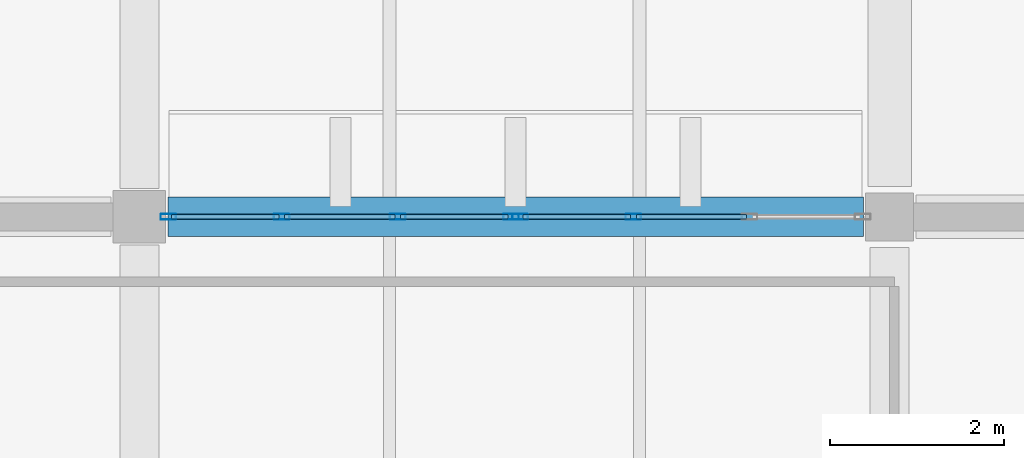
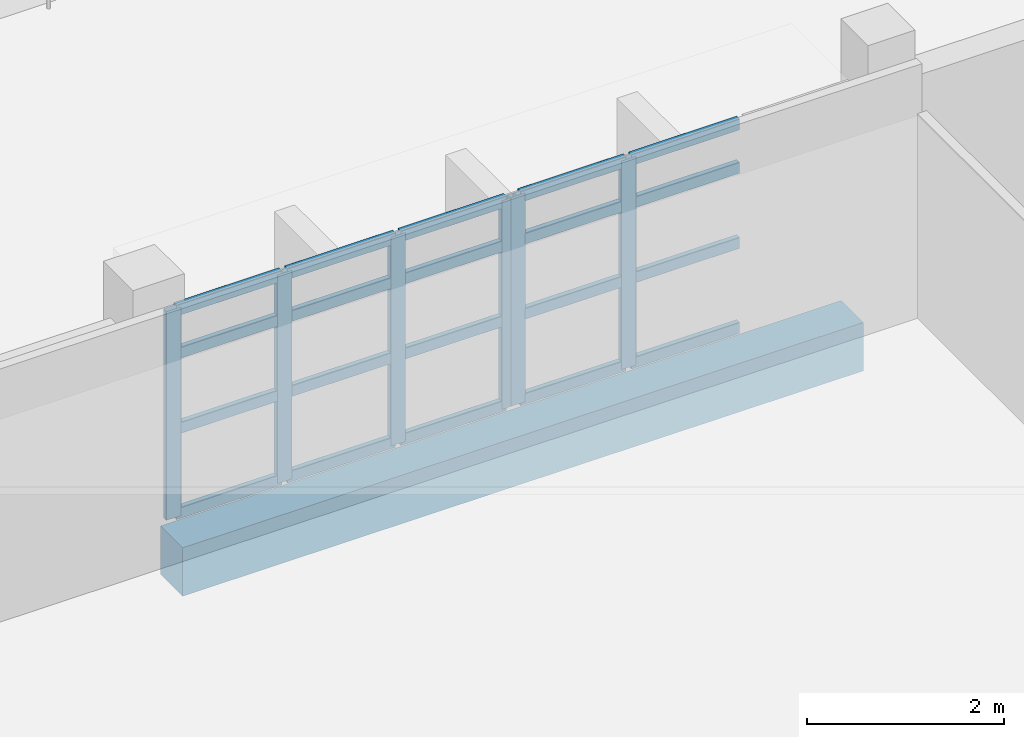
# One storey, part 14 of 55: 26 members, 1 beam, 2 elements without a shape of their own.
"""IFC4 building model written with IfcOpenShell, lengths in metres."""

from ifc_helpers import new_model, si_unit, direction, frame, origin, origin_2d, place, context, subcontext, project, spatial, rectangle, hollow_rectangle, extrude, material, material_profile, profile_set, type_object, element, aggregate, save


model = new_model("IFC4")

# Units and contexts
model_context = context("Model", 3, precision=1e-05, world=origin(), true_north=direction((0.0, 1.0)))
body_context = subcontext(model_context, "Body", "Model", "MODEL_VIEW")
ifc_project = project(units=[si_unit("LENGTHUNIT", "METRE"), si_unit("AREAUNIT", "SQUARE_METRE"), si_unit("VOLUMEUNIT", "CUBIC_METRE"), si_unit("PLANEANGLEUNIT", "RADIAN"), si_unit("MASSUNIT", "GRAM", prefix="KILO")], contexts=[model_context])

# Site, building, storey
site_placement = place(None, origin())
site = spatial("IfcSite", under=ifc_project, at=site_placement, CompositionType="ELEMENT")
building_placement = place(site_placement, origin())
building = spatial("IfcBuilding", under=site, at=building_placement, Name="Varnakota Cinema and Media Centre", CompositionType="ELEMENT")
storey_placement = place(building_placement, frame((0.0, 0.0, 15.60009765625)))
storey = spatial("IfcBuildingStorey", under=building, at=storey_placement, Name="L04", CompositionType="ELEMENT", Elevation=15.60009765625)

# Beam
ifc_material_1 = material(Name="Concrete M35", Category="concrete")
ifc_material_profile_1 = material_profile(ifc_material_1, rectangle(XDim=0.449951171875, YDim=0.60009765625, at=origin_2d()), Name="RCB 450x600")
ifc_profile_set_1 = profile_set([ifc_material_profile_1], Name="Concrete M35")
beam_type = type_object("IfcBeamType", Name="BM-RC-450x600", PredefinedType="BEAM", material=ifc_profile_set_1)
beam_placement = place(storey_placement, frame((8.925048828125, 61.0, -0.550048828125), z_axis=(1.0, 0.0, 0.0), x_axis=(0.0, 1.0, 0.0)))
element("IfcBeam", 1, at=beam_placement, inside=storey, type_object=beam_type, Name="L04 girder B-C/8", PredefinedType="BEAM", context=body_context, shape_type="SweptSolid", body=[
    extrude(rectangle(XDim=0.449951171875, YDim=0.60009765625, at=origin_2d()), origin(), (0.0, 0.0, 1.0), 7.974853515625),
])

# Curtain wall, members
ifc_material_2 = material(Name="Thermally broken anodised aluminium AW-6063", Category="aluminium")
curtain_wall_type = type_object("IfcCurtainWallType", Name="CW-STD-399x258", PredefinedType="USERDEFINED", material=ifc_material_2)
curtain_wall_1_placement = place(storey_placement, origin())
curtain_wall_1 = element("IfcCurtainWall", 2, at=curtain_wall_1_placement, inside=storey, type_object=curtain_wall_type, Name="L04 curtain wall CW-L04-V5-N-02-1", ObjectType="UNITISED CURTAIN WALL", PredefinedType="USERDEFINED")
ifc_material_3 = material(Name="Thermally broken anodised aluminium AW-6063", Category="aluminium")
ifc_material_profile_2 = material_profile(ifc_material_3, hollow_rectangle(XDim=0.06494140625, YDim=0.179931640625, WallThickness=0.00390625, InnerFilletRadius=0.00390625, OuterFilletRadius=0.008056640625, at=origin_2d()), Name="AL-MULLION 180x65x4")
ifc_profile_set_2 = profile_set([ifc_material_profile_2], Name="Thermally broken anodised aluminium AW-6063")
member_type_1 = type_object("IfcMemberType", Name="CWM-AL-180", PredefinedType="MULLION", material=ifc_profile_set_2)
member_1_placement = place(storey_placement, frame((8.9326171875, 61.0, 0.0), z_axis=(0.0, 0.0, 1.0), x_axis=(0.0, 1.0, 0.0)))
member_1 = element("IfcMember", 3, at=member_1_placement, type_object=member_type_1, Name="CW49 mullion 1", PredefinedType="MULLION", context=body_context, shape_type="SweptSolid", body=[
    extrude(hollow_rectangle(XDim=0.06494140625, YDim=0.179931640625, WallThickness=0.00390625, InnerFilletRadius=0.00390625, OuterFilletRadius=0.008056640625, at=origin_2d()), origin(), (0.0, 0.0, 1.0), 2.5849609375),
])
member_2_placement = place(storey_placement, frame((10.230712890625, 61.0, 0.0), z_axis=(0.0, 0.0, 1.0), x_axis=(0.0, 1.0, 0.0)))
member_2 = element("IfcMember", 4, at=member_2_placement, type_object=member_type_1, Name="CW49 mullion 2", PredefinedType="MULLION", context=body_context, shape_type="SweptSolid", body=[
    extrude(hollow_rectangle(XDim=0.06494140625, YDim=0.179931640625, WallThickness=0.00390625, InnerFilletRadius=0.00390625, OuterFilletRadius=0.008056640625, at=origin_2d()), origin(), (0.0, 0.0, 1.0), 2.5849609375),
])
member_3_placement = place(storey_placement, frame((11.561767578125, 61.0, 0.0), z_axis=(0.0, 0.0, 1.0), x_axis=(0.0, 1.0, 0.0)))
member_3 = element("IfcMember", 5, at=member_3_placement, type_object=member_type_1, Name="CW49 mullion 3", PredefinedType="MULLION", context=body_context, shape_type="SweptSolid", body=[
    extrude(hollow_rectangle(XDim=0.06494140625, YDim=0.179931640625, WallThickness=0.00390625, InnerFilletRadius=0.00390625, OuterFilletRadius=0.008056640625, at=origin_2d()), origin(), (0.0, 0.0, 1.0), 2.5849609375),
])
member_4_placement = place(storey_placement, frame((12.860107421875, 61.0, 0.0), z_axis=(0.0, 0.0, 1.0), x_axis=(0.0, 1.0, 0.0)))
member_4 = element("IfcMember", 6, at=member_4_placement, type_object=member_type_1, Name="CW49 mullion 4", PredefinedType="MULLION", context=body_context, shape_type="SweptSolid", body=[
    extrude(hollow_rectangle(XDim=0.06494140625, YDim=0.179931640625, WallThickness=0.00390625, InnerFilletRadius=0.00390625, OuterFilletRadius=0.008056640625, at=origin_2d()), origin(), (0.0, 0.0, 1.0), 2.5849609375),
])

curtain_wall_2_placement = place(storey_placement, origin())
curtain_wall_2 = element("IfcCurtainWall", 7, at=curtain_wall_2_placement, inside=storey, type_object=curtain_wall_type, Name="L04 curtain wall CW-L04-V5-N-02-2", ObjectType="UNITISED CURTAIN WALL", PredefinedType="USERDEFINED")
member_5_placement = place(storey_placement, frame((12.965087890625, 61.0, 0.0), z_axis=(0.0, 0.0, 1.0), x_axis=(0.0, 1.0, 0.0)))
member_5 = element("IfcMember", 8, at=member_5_placement, type_object=member_type_1, Name="CW49 mullion 1", PredefinedType="MULLION", context=body_context, shape_type="SweptSolid", body=[
    extrude(hollow_rectangle(XDim=0.06494140625, YDim=0.179931640625, WallThickness=0.00390625, InnerFilletRadius=0.00390625, OuterFilletRadius=0.008056640625, at=origin_2d()), origin(), (0.0, 0.0, 1.0), 2.5849609375),
])
member_6_placement = place(storey_placement, frame((14.263427734375, 61.0, 0.0), z_axis=(0.0, 0.0, 1.0), x_axis=(0.0, 1.0, 0.0)))
member_6 = element("IfcMember", 9, at=member_6_placement, type_object=member_type_1, Name="CW49 mullion 2", PredefinedType="MULLION", context=body_context, shape_type="SweptSolid", body=[
    extrude(hollow_rectangle(XDim=0.06494140625, YDim=0.179931640625, WallThickness=0.00390625, InnerFilletRadius=0.00390625, OuterFilletRadius=0.008056640625, at=origin_2d()), origin(), (0.0, 0.0, 1.0), 2.5849609375),
])

# Member
ifc_material_4 = material(Name="Thermally broken anodised aluminium AW-6063", Category="aluminium")
ifc_material_profile_3 = material_profile(ifc_material_4, hollow_rectangle(XDim=0.06494140625, YDim=0.139892578125, WallThickness=0.00390625, InnerFilletRadius=0.00390625, OuterFilletRadius=0.008056640625, at=origin_2d()), Name="AL-TRANSOM 140x65x4")
ifc_profile_set_3 = profile_set([ifc_material_profile_3], Name="Thermally broken anodised aluminium AW-6063")
member_type_2 = type_object("IfcMemberType", Name="CWT-AL-140", PredefinedType="USERDEFINED", material=ifc_profile_set_3)
member_7_placement = place(storey_placement, frame((8.965087890625, 61.0, 0.032470703125), z_axis=(1.0, 0.0, 0.0), x_axis=(0.0, 1.0, 0.0)))
member_7 = element("IfcMember", 10, at=member_7_placement, type_object=member_type_2, Name="CW49 transom 1.1", ObjectType="TRANSOM", PredefinedType="USERDEFINED", context=body_context, shape_type="SweptSolid", body=[
    extrude(hollow_rectangle(XDim=0.06494140625, YDim=0.139892578125, WallThickness=0.00390625, InnerFilletRadius=0.00390625, OuterFilletRadius=0.008056640625, at=origin_2d()), origin(), (0.0, 0.0, 1.0), 1.233154296875),
])

member_8_placement = place(storey_placement, frame((8.965087890625, 61.0, 1.085693359375), z_axis=(1.0, 0.0, 0.0), x_axis=(0.0, 1.0, 0.0)))
member_8 = element("IfcMember", 11, at=member_8_placement, type_object=member_type_2, Name="CW49 transom 1.2", ObjectType="TRANSOM", PredefinedType="USERDEFINED", context=body_context, shape_type="SweptSolid", body=[
    extrude(hollow_rectangle(XDim=0.06494140625, YDim=0.139892578125, WallThickness=0.00390625, InnerFilletRadius=0.00390625, OuterFilletRadius=0.008056640625, at=origin_2d()), origin(), (0.0, 0.0, 1.0), 1.233154296875),
])

member_9_placement = place(storey_placement, frame((8.965087890625, 61.0, 2.01611328125), z_axis=(1.0, 0.0, 0.0), x_axis=(0.0, 1.0, 0.0)))
member_9 = element("IfcMember", 12, at=member_9_placement, type_object=member_type_2, Name="CW49 transom 1.3", ObjectType="TRANSOM", PredefinedType="USERDEFINED", context=body_context, shape_type="SweptSolid", body=[
    extrude(hollow_rectangle(XDim=0.06494140625, YDim=0.139892578125, WallThickness=0.00390625, InnerFilletRadius=0.00390625, OuterFilletRadius=0.008056640625, at=origin_2d()), origin(), (0.0, 0.0, 1.0), 1.233154296875),
])

member_10_placement = place(storey_placement, frame((8.965087890625, 61.0, 2.552490234375), z_axis=(1.0, 0.0, 0.0), x_axis=(0.0, 1.0, 0.0)))
member_10 = element("IfcMember", 13, at=member_10_placement, type_object=member_type_2, Name="CW49 transom 1.4", ObjectType="TRANSOM", PredefinedType="USERDEFINED", context=body_context, shape_type="SweptSolid", body=[
    extrude(hollow_rectangle(XDim=0.06494140625, YDim=0.139892578125, WallThickness=0.00390625, InnerFilletRadius=0.00390625, OuterFilletRadius=0.008056640625, at=origin_2d()), origin(), (0.0, 0.0, 1.0), 1.233154296875),
])

member_11_placement = place(storey_placement, frame((10.263427734375, 61.0, 0.032470703125), z_axis=(1.0, 0.0, 0.0), x_axis=(0.0, 1.0, 0.0)))
member_11 = element("IfcMember", 14, at=member_11_placement, type_object=member_type_2, Name="CW49 transom 2.1", ObjectType="TRANSOM", PredefinedType="USERDEFINED", context=body_context, shape_type="SweptSolid", body=[
    extrude(hollow_rectangle(XDim=0.06494140625, YDim=0.139892578125, WallThickness=0.00390625, InnerFilletRadius=0.00390625, OuterFilletRadius=0.008056640625, at=origin_2d()), origin(), (0.0, 0.0, 1.0), 1.265625),
])

member_12_placement = place(storey_placement, frame((10.263427734375, 61.0, 1.085693359375), z_axis=(1.0, 0.0, 0.0), x_axis=(0.0, 1.0, 0.0)))
member_12 = element("IfcMember", 15, at=member_12_placement, type_object=member_type_2, Name="CW49 transom 2.2", ObjectType="TRANSOM", PredefinedType="USERDEFINED", context=body_context, shape_type="SweptSolid", body=[
    extrude(hollow_rectangle(XDim=0.06494140625, YDim=0.139892578125, WallThickness=0.00390625, InnerFilletRadius=0.00390625, OuterFilletRadius=0.008056640625, at=origin_2d()), origin(), (0.0, 0.0, 1.0), 1.265625),
])

member_13_placement = place(storey_placement, frame((10.263427734375, 61.0, 2.01611328125), z_axis=(1.0, 0.0, 0.0), x_axis=(0.0, 1.0, 0.0)))
member_13 = element("IfcMember", 16, at=member_13_placement, type_object=member_type_2, Name="CW49 transom 2.3", ObjectType="TRANSOM", PredefinedType="USERDEFINED", context=body_context, shape_type="SweptSolid", body=[
    extrude(hollow_rectangle(XDim=0.06494140625, YDim=0.139892578125, WallThickness=0.00390625, InnerFilletRadius=0.00390625, OuterFilletRadius=0.008056640625, at=origin_2d()), origin(), (0.0, 0.0, 1.0), 1.265625),
])

member_14_placement = place(storey_placement, frame((10.263427734375, 61.0, 2.552490234375), z_axis=(1.0, 0.0, 0.0), x_axis=(0.0, 1.0, 0.0)))
member_14 = element("IfcMember", 17, at=member_14_placement, type_object=member_type_2, Name="CW49 transom 2.4", ObjectType="TRANSOM", PredefinedType="USERDEFINED", context=body_context, shape_type="SweptSolid", body=[
    extrude(hollow_rectangle(XDim=0.06494140625, YDim=0.139892578125, WallThickness=0.00390625, InnerFilletRadius=0.00390625, OuterFilletRadius=0.008056640625, at=origin_2d()), origin(), (0.0, 0.0, 1.0), 1.265625),
])

member_15_placement = place(storey_placement, frame((11.59423828125, 61.0, 0.032470703125), z_axis=(1.0, 0.0, 0.0), x_axis=(0.0, 1.0, 0.0)))
member_15 = element("IfcMember", 18, at=member_15_placement, type_object=member_type_2, Name="CW49 transom 3.1", ObjectType="TRANSOM", PredefinedType="USERDEFINED", context=body_context, shape_type="SweptSolid", body=[
    extrude(hollow_rectangle(XDim=0.06494140625, YDim=0.139892578125, WallThickness=0.00390625, InnerFilletRadius=0.00390625, OuterFilletRadius=0.008056640625, at=origin_2d()), origin(), (0.0, 0.0, 1.0), 1.233154296875),
])

member_16_placement = place(storey_placement, frame((11.59423828125, 61.0, 1.085693359375), z_axis=(1.0, 0.0, 0.0), x_axis=(0.0, 1.0, 0.0)))
member_16 = element("IfcMember", 19, at=member_16_placement, type_object=member_type_2, Name="CW49 transom 3.2", ObjectType="TRANSOM", PredefinedType="USERDEFINED", context=body_context, shape_type="SweptSolid", body=[
    extrude(hollow_rectangle(XDim=0.06494140625, YDim=0.139892578125, WallThickness=0.00390625, InnerFilletRadius=0.00390625, OuterFilletRadius=0.008056640625, at=origin_2d()), origin(), (0.0, 0.0, 1.0), 1.233154296875),
])

member_17_placement = place(storey_placement, frame((11.59423828125, 61.0, 2.01611328125), z_axis=(1.0, 0.0, 0.0), x_axis=(0.0, 1.0, 0.0)))
member_17 = element("IfcMember", 20, at=member_17_placement, type_object=member_type_2, Name="CW49 transom 3.3", ObjectType="TRANSOM", PredefinedType="USERDEFINED", context=body_context, shape_type="SweptSolid", body=[
    extrude(hollow_rectangle(XDim=0.06494140625, YDim=0.139892578125, WallThickness=0.00390625, InnerFilletRadius=0.00390625, OuterFilletRadius=0.008056640625, at=origin_2d()), origin(), (0.0, 0.0, 1.0), 1.233154296875),
])

member_18_placement = place(storey_placement, frame((11.59423828125, 61.0, 2.552490234375), z_axis=(1.0, 0.0, 0.0), x_axis=(0.0, 1.0, 0.0)))
member_18 = element("IfcMember", 21, at=member_18_placement, type_object=member_type_2, Name="CW49 transom 3.4", ObjectType="TRANSOM", PredefinedType="USERDEFINED", context=body_context, shape_type="SweptSolid", body=[
    extrude(hollow_rectangle(XDim=0.06494140625, YDim=0.139892578125, WallThickness=0.00390625, InnerFilletRadius=0.00390625, OuterFilletRadius=0.008056640625, at=origin_2d()), origin(), (0.0, 0.0, 1.0), 1.233154296875),
])

aggregate(curtain_wall_1, [member_1, member_2, member_3, member_4, member_7, member_8, member_9, member_10, member_11, member_12, member_13, member_14, member_15, member_16, member_17, member_18])

member_19_placement = place(storey_placement, frame((12.99755859375, 61.0, 0.032470703125), z_axis=(1.0, 0.0, 0.0), x_axis=(0.0, 1.0, 0.0)))
member_19 = element("IfcMember", 22, at=member_19_placement, type_object=member_type_2, Name="CW49 transom 1.1", ObjectType="TRANSOM", PredefinedType="USERDEFINED", context=body_context, shape_type="SweptSolid", body=[
    extrude(hollow_rectangle(XDim=0.06494140625, YDim=0.139892578125, WallThickness=0.00390625, InnerFilletRadius=0.00390625, OuterFilletRadius=0.008056640625, at=origin_2d()), origin(), (0.0, 0.0, 1.0), 1.233154296875),
])

member_20_placement = place(storey_placement, frame((12.99755859375, 61.0, 1.085693359375), z_axis=(1.0, 0.0, 0.0), x_axis=(0.0, 1.0, 0.0)))
member_20 = element("IfcMember", 23, at=member_20_placement, type_object=member_type_2, Name="CW49 transom 1.2", ObjectType="TRANSOM", PredefinedType="USERDEFINED", context=body_context, shape_type="SweptSolid", body=[
    extrude(hollow_rectangle(XDim=0.06494140625, YDim=0.139892578125, WallThickness=0.00390625, InnerFilletRadius=0.00390625, OuterFilletRadius=0.008056640625, at=origin_2d()), origin(), (0.0, 0.0, 1.0), 1.233154296875),
])

member_21_placement = place(storey_placement, frame((12.99755859375, 61.0, 2.01611328125), z_axis=(1.0, 0.0, 0.0), x_axis=(0.0, 1.0, 0.0)))
member_21 = element("IfcMember", 24, at=member_21_placement, type_object=member_type_2, Name="CW49 transom 1.3", ObjectType="TRANSOM", PredefinedType="USERDEFINED", context=body_context, shape_type="SweptSolid", body=[
    extrude(hollow_rectangle(XDim=0.06494140625, YDim=0.139892578125, WallThickness=0.00390625, InnerFilletRadius=0.00390625, OuterFilletRadius=0.008056640625, at=origin_2d()), origin(), (0.0, 0.0, 1.0), 1.233154296875),
])

member_22_placement = place(storey_placement, frame((12.99755859375, 61.0, 2.552490234375), z_axis=(1.0, 0.0, 0.0), x_axis=(0.0, 1.0, 0.0)))
member_22 = element("IfcMember", 25, at=member_22_placement, type_object=member_type_2, Name="CW49 transom 1.4", ObjectType="TRANSOM", PredefinedType="USERDEFINED", context=body_context, shape_type="SweptSolid", body=[
    extrude(hollow_rectangle(XDim=0.06494140625, YDim=0.139892578125, WallThickness=0.00390625, InnerFilletRadius=0.00390625, OuterFilletRadius=0.008056640625, at=origin_2d()), origin(), (0.0, 0.0, 1.0), 1.233154296875),
])

member_23_placement = place(storey_placement, frame((14.2958984375, 61.0, 0.032470703125), z_axis=(1.0, 0.0, 0.0), x_axis=(0.0, 1.0, 0.0)))
member_23 = element("IfcMember", 26, at=member_23_placement, type_object=member_type_2, Name="CW49 transom 2.1", ObjectType="TRANSOM", PredefinedType="USERDEFINED", context=body_context, shape_type="SweptSolid", body=[
    extrude(hollow_rectangle(XDim=0.06494140625, YDim=0.139892578125, WallThickness=0.00390625, InnerFilletRadius=0.00390625, OuterFilletRadius=0.008056640625, at=origin_2d()), origin(), (0.0, 0.0, 1.0), 1.265869140625),
])

member_24_placement = place(storey_placement, frame((14.2958984375, 61.0, 1.085693359375), z_axis=(1.0, 0.0, 0.0), x_axis=(0.0, 1.0, 0.0)))
member_24 = element("IfcMember", 27, at=member_24_placement, type_object=member_type_2, Name="CW49 transom 2.2", ObjectType="TRANSOM", PredefinedType="USERDEFINED", context=body_context, shape_type="SweptSolid", body=[
    extrude(hollow_rectangle(XDim=0.06494140625, YDim=0.139892578125, WallThickness=0.00390625, InnerFilletRadius=0.00390625, OuterFilletRadius=0.008056640625, at=origin_2d()), origin(), (0.0, 0.0, 1.0), 1.265869140625),
])

member_25_placement = place(storey_placement, frame((14.2958984375, 61.0, 2.01611328125), z_axis=(1.0, 0.0, 0.0), x_axis=(0.0, 1.0, 0.0)))
member_25 = element("IfcMember", 28, at=member_25_placement, type_object=member_type_2, Name="CW49 transom 2.3", ObjectType="TRANSOM", PredefinedType="USERDEFINED", context=body_context, shape_type="SweptSolid", body=[
    extrude(hollow_rectangle(XDim=0.06494140625, YDim=0.139892578125, WallThickness=0.00390625, InnerFilletRadius=0.00390625, OuterFilletRadius=0.008056640625, at=origin_2d()), origin(), (0.0, 0.0, 1.0), 1.265869140625),
])

member_26_placement = place(storey_placement, frame((14.2958984375, 61.0, 2.552490234375), z_axis=(1.0, 0.0, 0.0), x_axis=(0.0, 1.0, 0.0)))
member_26 = element("IfcMember", 29, at=member_26_placement, type_object=member_type_2, Name="CW49 transom 2.4", ObjectType="TRANSOM", PredefinedType="USERDEFINED", context=body_context, shape_type="SweptSolid", body=[
    extrude(hollow_rectangle(XDim=0.06494140625, YDim=0.139892578125, WallThickness=0.00390625, InnerFilletRadius=0.00390625, OuterFilletRadius=0.008056640625, at=origin_2d()), origin(), (0.0, 0.0, 1.0), 1.265869140625),
])

aggregate(curtain_wall_2, [member_5, member_6, member_19, member_20, member_21, member_22, member_23, member_24, member_25, member_26])

save(model, "model.ifc")
